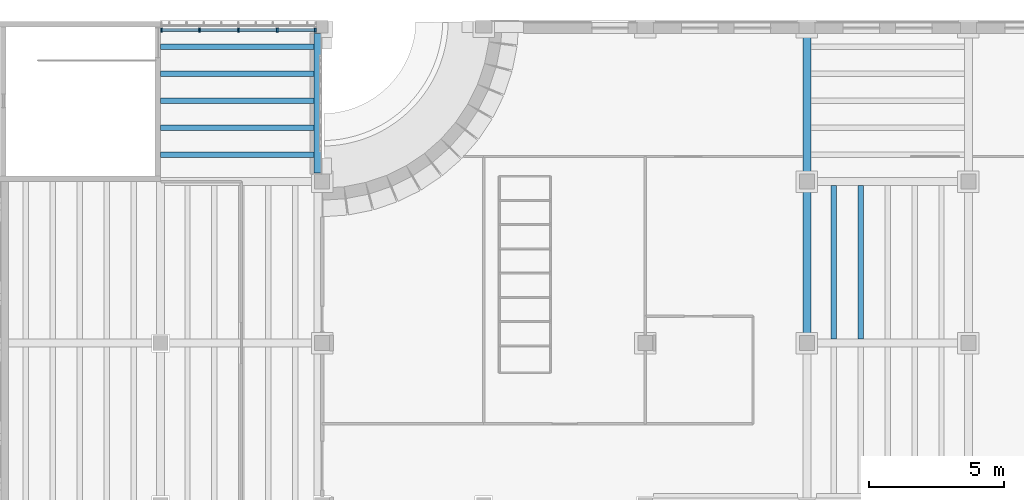
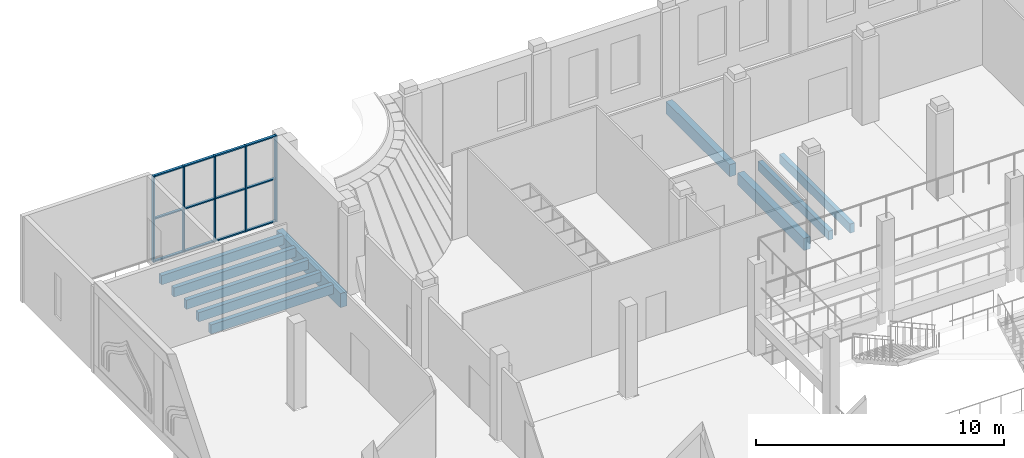
# One storey, part 14 of 70: 17 members, 10 beams, 1 element without a shape of its own.
"""IFC4 building model written with IfcOpenShell, lengths in metres."""

from ifc_helpers import new_model, si_unit, direction, frame, origin, origin_2d, place, context, subcontext, project, spatial, rectangle, extrude, material, material_profile, profile_set, type_object, element, aggregate, save


model = new_model("IFC4")

# Units and contexts
model_context = context("Model", 3, precision=1e-05, world=origin(), true_north=direction((0.0, 1.0)))
body_context = subcontext(model_context, "Body", "Model", "MODEL_VIEW")
ifc_project = project(units=[si_unit("LENGTHUNIT", "METRE"), si_unit("AREAUNIT", "SQUARE_METRE"), si_unit("VOLUMEUNIT", "CUBIC_METRE"), si_unit("PLANEANGLEUNIT", "RADIAN"), si_unit("MASSUNIT", "GRAM", prefix="KILO")], contexts=[model_context])

# Site, building, storey
site_placement = place(None, origin())
site = spatial("IfcSite", under=ifc_project, at=site_placement, CompositionType="ELEMENT")
building_placement = place(site_placement, origin())
building = spatial("IfcBuilding", under=site, at=building_placement, Name="Saffron Lane Theatres", CompositionType="ELEMENT")
storey_placement = place(building_placement, frame((0.0, 0.0, 12.0)))
storey = spatial("IfcBuildingStorey", under=building, at=storey_placement, Name="L02", CompositionType="ELEMENT", Elevation=12.0)

# Curtain wall, members
ifc_material_1 = material(Name="Aluminium", Category="aluminium")
curtain_wall_type = type_object("IfcCurtainWallType", Name="EX-CURTAIN WALL 5780x4250x160", PredefinedType="NOTDEFINED", material=ifc_material_1)
curtain_wall_placement = place(storey_placement, origin())
curtain_wall = element("IfcCurtainWall", 1, at=curtain_wall_placement, inside=storey, type_object=curtain_wall_type, Name="Curtain wall L02 02", PredefinedType="NOTDEFINED")
ifc_material_2 = material(Name="Aluminium", Category="aluminium")
ifc_material_profile_1 = material_profile(ifc_material_2, rectangle(XDim=0.06005859375, YDim=0.159912109375, at=origin_2d()))
ifc_profile_set_1 = profile_set([ifc_material_profile_1], Name="Aluminium")
member_type_1 = type_object("IfcMemberType", Name="EX-CW MULLION 60x160", PredefinedType="MULLION", material=ifc_profile_set_1)
member_1_placement = place(storey_placement, frame((6.030029296875, 125.6298828125, 0.0), z_axis=(0.0, 0.0, 1.0), x_axis=(1.0, 0.0, 0.0)))
member_1 = element("IfcMember", 2, at=member_1_placement, type_object=member_type_1, Name="CW-02-02 mullion 1", PredefinedType="MULLION", context=body_context, shape_type="SweptSolid", body=[
    extrude(rectangle(XDim=0.06005859375, YDim=0.159912109375, at=origin_2d()), origin(), (0.0, 0.0, 1.0), 4.25),
])
member_2_placement = place(storey_placement, frame((7.44384765625, 125.6298828125, 0.0), z_axis=(0.0, 0.0, 1.0), x_axis=(1.0, 0.0, 0.0)))
member_2 = element("IfcMember", 3, at=member_2_placement, type_object=member_type_1, Name="CW-02-02 mullion 2", PredefinedType="MULLION", context=body_context, shape_type="SweptSolid", body=[
    extrude(rectangle(XDim=0.06005859375, YDim=0.159912109375, at=origin_2d()), origin(), (0.0, 0.0, 1.0), 4.25),
])
member_3_placement = place(storey_placement, frame((8.887451171875, 125.6298828125, 0.0), z_axis=(0.0, 0.0, 1.0), x_axis=(1.0, 0.0, 0.0)))
member_3 = element("IfcMember", 4, at=member_3_placement, type_object=member_type_1, Name="CW-02-02 mullion 3", PredefinedType="MULLION", context=body_context, shape_type="SweptSolid", body=[
    extrude(rectangle(XDim=0.06005859375, YDim=0.159912109375, at=origin_2d()), origin(), (0.0, 0.0, 1.0), 4.25),
])
member_4_placement = place(storey_placement, frame((10.331298828125, 125.6298828125, 0.0), z_axis=(0.0, 0.0, 1.0), x_axis=(1.0, 0.0, 0.0)))
member_4 = element("IfcMember", 5, at=member_4_placement, type_object=member_type_1, Name="CW-02-02 mullion 4", PredefinedType="MULLION", context=body_context, shape_type="SweptSolid", body=[
    extrude(rectangle(XDim=0.06005859375, YDim=0.159912109375, at=origin_2d()), origin(), (0.0, 0.0, 1.0), 4.25),
])
member_5_placement = place(storey_placement, frame((11.744873046875, 125.6298828125, 0.0), z_axis=(0.0, 0.0, 1.0), x_axis=(1.0, 0.0, 0.0)))
member_5 = element("IfcMember", 6, at=member_5_placement, type_object=member_type_1, Name="CW-02-02 mullion 5", PredefinedType="MULLION", context=body_context, shape_type="SweptSolid", body=[
    extrude(rectangle(XDim=0.06005859375, YDim=0.159912109375, at=origin_2d()), origin(), (0.0, 0.0, 1.0), 4.25),
])
ifc_material_3 = material(Name="Aluminium", Category="aluminium")
ifc_material_profile_2 = material_profile(ifc_material_3, rectangle(XDim=0.1201171875, YDim=0.06005859375, at=origin_2d()))
ifc_profile_set_2 = profile_set([ifc_material_profile_2], Name="Aluminium")
member_type_2 = type_object("IfcMemberType", Name="EX-CW TRANSOM 120x60", PredefinedType="USERDEFINED", material=ifc_profile_set_2)
member_6_placement = place(storey_placement, frame((6.06005859375, 125.6298828125, 0.030029296875), z_axis=(1.0, 0.0, 0.0), x_axis=(0.0, 1.0, 0.0)))
member_6 = element("IfcMember", 7, at=member_6_placement, type_object=member_type_2, Name="CW-02-02 transom 1.1", ObjectType="TRANSOM", PredefinedType="USERDEFINED", context=body_context, shape_type="SweptSolid", body=[
    extrude(rectangle(XDim=0.1201171875, YDim=0.06005859375, at=origin_2d()), origin(), (0.0, 0.0, 1.0), 1.353759765625),
])
member_7_placement = place(storey_placement, frame((6.06005859375, 125.6298828125, 2.125), z_axis=(1.0, 0.0, 0.0), x_axis=(0.0, 1.0, 0.0)))
member_7 = element("IfcMember", 8, at=member_7_placement, type_object=member_type_2, Name="CW-02-02 transom 1.2", ObjectType="TRANSOM", PredefinedType="USERDEFINED", context=body_context, shape_type="SweptSolid", body=[
    extrude(rectangle(XDim=0.1201171875, YDim=0.06005859375, at=origin_2d()), origin(), (0.0, 0.0, 1.0), 1.353759765625),
])
member_8_placement = place(storey_placement, frame((6.06005859375, 125.6298828125, 4.219970703125), z_axis=(1.0, 0.0, 0.0), x_axis=(0.0, 1.0, 0.0)))
member_8 = element("IfcMember", 9, at=member_8_placement, type_object=member_type_2, Name="CW-02-02 transom 1.3", ObjectType="TRANSOM", PredefinedType="USERDEFINED", context=body_context, shape_type="SweptSolid", body=[
    extrude(rectangle(XDim=0.1201171875, YDim=0.06005859375, at=origin_2d()), origin(), (0.0, 0.0, 1.0), 1.353759765625),
])
member_9_placement = place(storey_placement, frame((7.4736328125, 125.6298828125, 0.030029296875), z_axis=(1.0, 0.0, 0.0), x_axis=(0.0, 1.0, 0.0)))
member_9 = element("IfcMember", 10, at=member_9_placement, type_object=member_type_2, Name="CW-02-02 transom 2.1", ObjectType="TRANSOM", PredefinedType="USERDEFINED", context=body_context, shape_type="SweptSolid", body=[
    extrude(rectangle(XDim=0.1201171875, YDim=0.06005859375, at=origin_2d()), origin(), (0.0, 0.0, 1.0), 1.3837890625),
])
member_10_placement = place(storey_placement, frame((7.4736328125, 125.6298828125, 2.125), z_axis=(1.0, 0.0, 0.0), x_axis=(0.0, 1.0, 0.0)))
member_10 = element("IfcMember", 11, at=member_10_placement, type_object=member_type_2, Name="CW-02-02 transom 2.2", ObjectType="TRANSOM", PredefinedType="USERDEFINED", context=body_context, shape_type="SweptSolid", body=[
    extrude(rectangle(XDim=0.1201171875, YDim=0.06005859375, at=origin_2d()), origin(), (0.0, 0.0, 1.0), 1.3837890625),
])
member_11_placement = place(storey_placement, frame((7.4736328125, 125.6298828125, 4.219970703125), z_axis=(1.0, 0.0, 0.0), x_axis=(0.0, 1.0, 0.0)))
member_11 = element("IfcMember", 12, at=member_11_placement, type_object=member_type_2, Name="CW-02-02 transom 2.3", ObjectType="TRANSOM", PredefinedType="USERDEFINED", context=body_context, shape_type="SweptSolid", body=[
    extrude(rectangle(XDim=0.1201171875, YDim=0.06005859375, at=origin_2d()), origin(), (0.0, 0.0, 1.0), 1.3837890625),
])
member_12_placement = place(storey_placement, frame((8.91748046875, 125.6298828125, 0.030029296875), z_axis=(1.0, 0.0, 0.0), x_axis=(0.0, 1.0, 0.0)))
member_12 = element("IfcMember", 13, at=member_12_placement, type_object=member_type_2, Name="CW-02-02 transom 3.1", ObjectType="TRANSOM", PredefinedType="USERDEFINED", context=body_context, shape_type="SweptSolid", body=[
    extrude(rectangle(XDim=0.1201171875, YDim=0.06005859375, at=origin_2d()), origin(), (0.0, 0.0, 1.0), 1.3837890625),
])
member_13_placement = place(storey_placement, frame((8.91748046875, 125.6298828125, 2.125), z_axis=(1.0, 0.0, 0.0), x_axis=(0.0, 1.0, 0.0)))
member_13 = element("IfcMember", 14, at=member_13_placement, type_object=member_type_2, Name="CW-02-02 transom 3.2", ObjectType="TRANSOM", PredefinedType="USERDEFINED", context=body_context, shape_type="SweptSolid", body=[
    extrude(rectangle(XDim=0.1201171875, YDim=0.06005859375, at=origin_2d()), origin(), (0.0, 0.0, 1.0), 1.3837890625),
])
member_14_placement = place(storey_placement, frame((8.91748046875, 125.6298828125, 4.219970703125), z_axis=(1.0, 0.0, 0.0), x_axis=(0.0, 1.0, 0.0)))
member_14 = element("IfcMember", 15, at=member_14_placement, type_object=member_type_2, Name="CW-02-02 transom 3.3", ObjectType="TRANSOM", PredefinedType="USERDEFINED", context=body_context, shape_type="SweptSolid", body=[
    extrude(rectangle(XDim=0.1201171875, YDim=0.06005859375, at=origin_2d()), origin(), (0.0, 0.0, 1.0), 1.3837890625),
])
member_15_placement = place(storey_placement, frame((10.361083984375, 125.6298828125, 0.030029296875), z_axis=(1.0, 0.0, 0.0), x_axis=(0.0, 1.0, 0.0)))
member_15 = element("IfcMember", 16, at=member_15_placement, type_object=member_type_2, Name="CW-02-02 transom 4.1", ObjectType="TRANSOM", PredefinedType="USERDEFINED", context=body_context, shape_type="SweptSolid", body=[
    extrude(rectangle(XDim=0.1201171875, YDim=0.06005859375, at=origin_2d()), origin(), (0.0, 0.0, 1.0), 1.353759765625),
])
member_16_placement = place(storey_placement, frame((10.361083984375, 125.6298828125, 2.125), z_axis=(1.0, 0.0, 0.0), x_axis=(0.0, 1.0, 0.0)))
member_16 = element("IfcMember", 17, at=member_16_placement, type_object=member_type_2, Name="CW-02-02 transom 4.2", ObjectType="TRANSOM", PredefinedType="USERDEFINED", context=body_context, shape_type="SweptSolid", body=[
    extrude(rectangle(XDim=0.1201171875, YDim=0.06005859375, at=origin_2d()), origin(), (0.0, 0.0, 1.0), 1.353759765625),
])
member_17_placement = place(storey_placement, frame((10.361083984375, 125.6298828125, 4.219970703125), z_axis=(1.0, 0.0, 0.0), x_axis=(0.0, 1.0, 0.0)))
member_17 = element("IfcMember", 18, at=member_17_placement, type_object=member_type_2, Name="CW-02-02 transom 4.3", ObjectType="TRANSOM", PredefinedType="USERDEFINED", context=body_context, shape_type="SweptSolid", body=[
    extrude(rectangle(XDim=0.1201171875, YDim=0.06005859375, at=origin_2d()), origin(), (0.0, 0.0, 1.0), 1.353759765625),
])
aggregate(curtain_wall, [member_1, member_2, member_3, member_4, member_5, member_6, member_7, member_8, member_9, member_10, member_11, member_12, member_13, member_14, member_15, member_16, member_17])

# Beams
ifc_material_4 = material(Name="Concrete N40 (40 MPa)", Category="concrete")
ifc_material_profile_3 = material_profile(ifc_material_4, rectangle(XDim=0.300048828125, YDim=0.60009765625, at=origin_2d()))
ifc_profile_set_3 = profile_set([ifc_material_profile_3], Name="Concrete N40 (40 MPa)")
beam_type_1 = type_object("IfcBeamType", Name="RC-BEAM 300x600", PredefinedType="BEAM", material=ifc_profile_set_3)
beam_1_placement = place(storey_placement, frame((30.0, 114.324951171875, -0.64990234375), z_axis=(0.0, 1.0, 0.0), x_axis=(-1.0, 0.0, 0.0)))
element("IfcBeam", 19, at=beam_1_placement, inside=storey, type_object=beam_type_1, Name="beam-L02-y300-1143", PredefinedType="BEAM", context=body_context, shape_type="SweptSolid", body=[
    extrude(rectangle(XDim=0.300048828125, YDim=0.60009765625, at=origin_2d()), origin(), (0.0, 0.0, 1.0), 5.35009765625),
])
beam_2_placement = place(storey_placement, frame((30.0, 120.324951171875, -0.64990234375), z_axis=(0.0, 1.0, 0.0), x_axis=(-1.0, 0.0, 0.0)))
element("IfcBeam", 20, at=beam_2_placement, inside=storey, type_object=beam_type_1, Name="beam-L02-y300-1203", PredefinedType="BEAM", context=body_context, shape_type="SweptSolid", body=[
    extrude(rectangle(XDim=0.300048828125, YDim=0.60009765625, at=origin_2d()), origin(), (0.0, 0.0, 1.0), 5.149658203125),
])
ifc_material_5 = material(Name="Concrete N40 (40 MPa)", Category="concrete")
ifc_material_profile_4 = material_profile(ifc_material_5, rectangle(XDim=0.300048828125, YDim=0.699951171875, at=origin_2d()))
ifc_profile_set_4 = profile_set([ifc_material_profile_4], Name="Concrete N40 (40 MPa)")
beam_type_2 = type_object("IfcBeamType", Name="RC-BEAM 300x700", PredefinedType="BEAM", material=ifc_profile_set_4)
beam_3_placement = place(storey_placement, frame((11.85009765625, 120.324951171875, -0.699951171875), z_axis=(0.0, 1.0, 0.0), x_axis=(-1.0, 0.0, 0.0)))
element("IfcBeam", 21, at=beam_3_placement, inside=storey, type_object=beam_type_2, Name="beam-L02-y120-1203", PredefinedType="BEAM", context=body_context, shape_type="SweptSolid", body=[
    extrude(rectangle(XDim=0.300048828125, YDim=0.699951171875, at=origin_2d()), origin(), (0.0, 0.0, 1.0), 5.174560546875),
])
ifc_material_6 = material(Name="Concrete N40 (40 MPa)", Category="concrete")
ifc_material_profile_5 = material_profile(ifc_material_6, rectangle(XDim=0.199951171875, YDim=0.449951171875, at=origin_2d()))
ifc_profile_set_5 = profile_set([ifc_material_profile_5], Name="Concrete N40 (40 MPa)")
beam_type_3 = type_object("IfcBeamType", Name="RC-JOIST 200x450", PredefinedType="JOIST", material=ifc_profile_set_5)
for number, where, z_axis, x_axis, name in (
    (22, (6.0, 121.0, -0.47509765625), (1.0, 0.0, 0.0), (0.0, 1.0, 0.0), "joist-L02-x12100-60"),
    (23, (6.0, 122.0, -0.47509765625), (1.0, 0.0, 0.0), (0.0, 1.0, 0.0), "joist-L02-x12200-60"),
    (24, (6.0, 123.0, -0.47509765625), (1.0, 0.0, 0.0), (0.0, 1.0, 0.0), "joist-L02-x12300-60"),
    (25, (6.0, 124.0, -0.47509765625), (1.0, 0.0, 0.0), (0.0, 1.0, 0.0), "joist-L02-x12400-60"),
    (26, (6.0, 125.0, -0.47509765625), (1.0, 0.0, 0.0), (0.0, 1.0, 0.0), "joist-L02-x12500-60"),
):
    element("IfcBeam", number, at=place(storey_placement, frame(where, z_axis=z_axis, x_axis=x_axis)), inside=storey, type_object=beam_type_3, Name=name, PredefinedType="JOIST", context=body_context, shape_type="SweptSolid", body=[
        extrude(rectangle(XDim=0.199951171875, YDim=0.449951171875, at=origin_2d()), origin(), (0.0, 0.0, 1.0), 5.699951171875),
    ])
for number, where, z_axis, x_axis, name in (
    (27, (31.0, 114.14990234375, -0.47509765625), (0.0, 1.0, 0.0), (-1.0, 0.0, 0.0), "joist-L02-y3100-1142"),
    (28, (32.0, 114.14990234375, -0.47509765625), (0.0, 1.0, 0.0), (-1.0, 0.0, 0.0), "joist-L02-y3200-1142"),
):
    element("IfcBeam", number, at=place(storey_placement, frame(where, z_axis=z_axis, x_axis=x_axis)), inside=storey, type_object=beam_type_3, Name=name, PredefinedType="JOIST", context=body_context, shape_type="SweptSolid", body=[
        extrude(rectangle(XDim=0.199951171875, YDim=0.449951171875, at=origin_2d()), origin(), (0.0, 0.0, 1.0), 5.7001953125),
    ])

save(model, "model.ifc")
